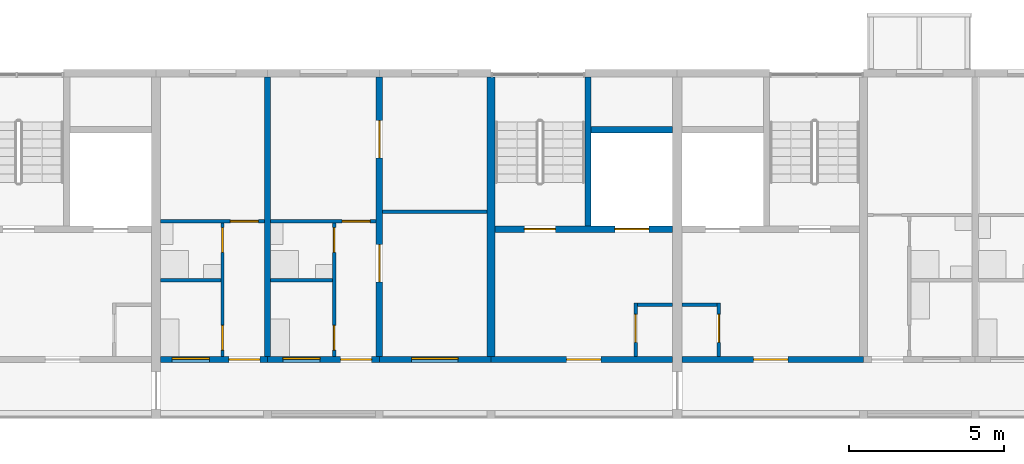
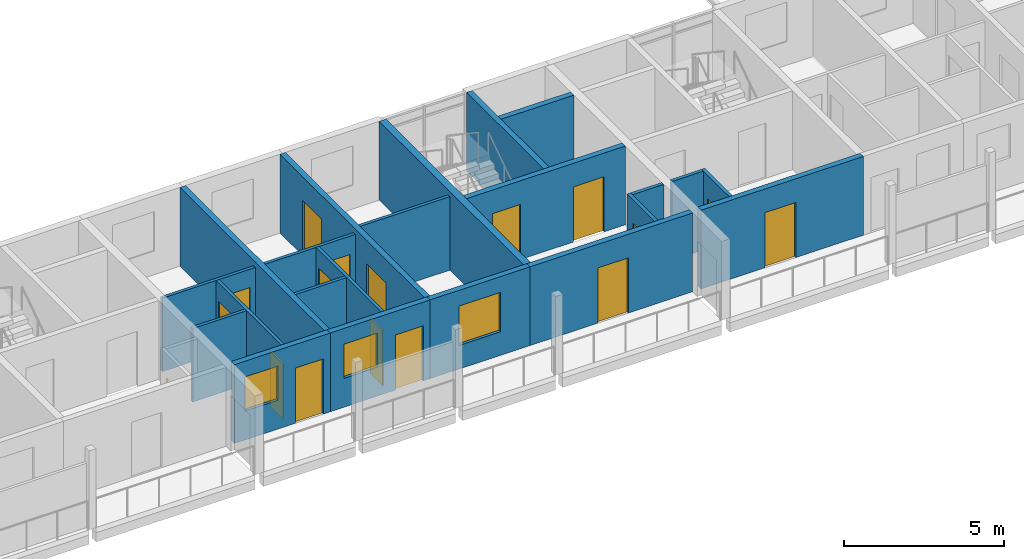
# One storey, part 51 of 98: 22 walls, 16 doors, 3 windows, 19 openings.
"""IFC4 building model written with IfcOpenShell, lengths in metres."""

from ifc_helpers import new_model, si_unit, direction, frame, frame_2d, origin, place, context, subcontext, project, spatial, rectangle, extrude, material, layer, layer_set, type_object, element, fill, save


model = new_model("IFC4")

# Units and contexts
model_context = context("Model", 3, precision=1e-05, world=origin(), true_north=direction((0.0, 1.0)))
body_context = subcontext(model_context, "Body", "Model", "MODEL_VIEW")
ifc_project = project(units=[si_unit("LENGTHUNIT", "METRE"), si_unit("AREAUNIT", "SQUARE_METRE"), si_unit("VOLUMEUNIT", "CUBIC_METRE"), si_unit("PLANEANGLEUNIT", "RADIAN"), si_unit("MASSUNIT", "GRAM", prefix="KILO")], contexts=[model_context])

# Site, building, storey
site_placement = place(None, origin())
site = spatial("IfcSite", under=ifc_project, at=site_placement, CompositionType="ELEMENT")
building_placement = place(site_placement, origin())
building = spatial("IfcBuilding", under=site, at=building_placement, Name="Ridgestep Commons", CompositionType="ELEMENT")
storey_placement = place(building_placement, frame((0.0, 0.0, 12.0)))
storey = spatial("IfcBuildingStorey", under=building, at=storey_placement, Name="L04", CompositionType="ELEMENT", Elevation=12.0)

# Wall
ifc_material_1 = material(Name="Concrete C30/37", Category="concrete")
ifc_layer_1 = layer(ifc_material_1, 0.25)
ifc_layer_set_1 = layer_set([ifc_layer_1], Name="Core cross wall 250")
wall_type_1 = type_object("IfcWallType", Name="Core cross wall 250", PredefinedType="SHEAR", material=ifc_layer_set_1)
wall_1_placement = place(storey_placement, frame((174.39990234375, 68.0, 0.0), z_axis=(0.0, 0.0, 1.0), x_axis=(0.0, 1.0, 0.0)))
element("IfcWall", 1, at=wall_1_placement, inside=storey, type_object=wall_type_1, Name="Cross wall C-04-1744", PredefinedType="SHEAR", context=body_context, shape_type="SweptSolid", body=[
    extrude(rectangle(XDim=9.0, YDim=0.25, at=frame_2d((4.5, 0.0))), origin(), (0.0, 0.0, 1.0), 3.0),
])

# Wall, opening, door
ifc_material_2 = material(Name="Concrete C30/37", Category="concrete")
ifc_layer_2 = layer(ifc_material_2, 0.199951171875)
ifc_layer_set_2 = layer_set([ifc_layer_2], Name="Core south wall 200")
wall_type_2 = type_object("IfcWallType", Name="Core south wall 200", PredefinedType="SHEAR", material=ifc_layer_set_2)
wall_2_placement = place(storey_placement, frame((174.39990234375, 67.89990234375, 0.0), z_axis=(0.0, 0.0, 1.0), x_axis=(1.0, 0.0, 0.0)))
wall_2 = element("IfcWall", 2, at=wall_2_placement, inside=storey, type_object=wall_type_2, Name="Core south wall C2C L04", PredefinedType="SHEAR", context=body_context, shape_type="SweptSolid", body=[
    extrude(rectangle(XDim=5.85009765625, YDim=0.199951171875, at=frame_2d((2.925048828125, 0.0))), origin(), (0.0, 0.0, 1.0), 3.0),
])
opening_1_placement = place(wall_2_placement, frame((2.4375, 0.0, 0.0)))
opening_1 = element("IfcOpeningElement", 3, at=opening_1_placement, cuts=wall_2, Name="Opening C2C/04/1", PredefinedType="OPENING", context=body_context, shape_type="SweptSolid", body=[
    extrude(rectangle(XDim=1.10009765625, YDim=2.10009765625, at=frame_2d((0.550048828125, 1.050048828125))), frame((0.0, 0.10986328125, 0.0), z_axis=(0.0, -1.0, 0.0), x_axis=(1.0, 0.0, 0.0)), (0.0, 0.0, 1.0), 0.219970703125),
])
ifc_material_3 = material(Name="Steel fire door", Category="steel")
door_type_1 = type_object("IfcDoorType", Name="Lobby door 1100 x 2100 FD60", OperationType="NOTDEFINED", PredefinedType="DOOR", material=ifc_material_3)
door_1_placement = place(opening_1_placement, origin())
door_1 = element("IfcDoor", 4, at=door_1_placement, inside=storey, type_object=door_type_1, Name="Lobby door C2C/04/1", OperationType="SINGLE_SWING_LEFT", OverallHeight=2.10009765625, OverallWidth=1.10009765625, PredefinedType="DOOR", context=body_context, shape_type="SweptSolid", body=[
    extrude(rectangle(XDim=1.10009765625, YDim=2.10009765625, at=frame_2d((0.550048828125, 1.050048828125))), frame((0.0, 0.02490234375, 0.0), z_axis=(0.0, -1.0, 0.0), x_axis=(1.0, 0.0, 0.0)), (0.0, 0.0, 1.0), 0.050048828125),
])
fill(opening_1, door_1)

wall_3_placement = place(storey_placement, frame((180.550048828125, 67.89990234375, 0.0), z_axis=(0.0, 0.0, 1.0), x_axis=(1.0, 0.0, 0.0)))
wall_3 = element("IfcWall", 5, at=wall_3_placement, inside=storey, type_object=wall_type_2, Name="Core south wall C3C L04", PredefinedType="SHEAR", context=body_context, shape_type="SweptSolid", body=[
    extrude(rectangle(XDim=5.849853515625, YDim=0.199951171875, at=frame_2d((2.9248046875, 0.0))), origin(), (0.0, 0.0, 1.0), 3.0),
])
opening_2_placement = place(wall_3_placement, frame((2.3125, 0.0, 0.0)))
opening_2 = element("IfcOpeningElement", 6, at=opening_2_placement, cuts=wall_3, Name="Opening C3C/04/1", PredefinedType="OPENING", context=body_context, shape_type="SweptSolid", body=[
    extrude(rectangle(XDim=1.10009765625, YDim=2.10009765625, at=frame_2d((0.550048828125, 1.050048828125))), frame((0.0, 0.10986328125, 0.0), z_axis=(0.0, -1.0, 0.0), x_axis=(1.0, 0.0, 0.0)), (0.0, 0.0, 1.0), 0.219970703125),
])
door_2_placement = place(opening_2_placement, origin())
door_2 = element("IfcDoor", 7, at=door_2_placement, inside=storey, type_object=door_type_1, Name="Lobby door C3C/04/1", OperationType="SINGLE_SWING_LEFT", OverallHeight=2.10009765625, OverallWidth=1.10009765625, PredefinedType="DOOR", context=body_context, shape_type="SweptSolid", body=[
    extrude(rectangle(XDim=1.10009765625, YDim=2.10009765625, at=frame_2d((0.550048828125, 1.050048828125))), frame((0.0, 0.02490234375, 0.0), z_axis=(0.0, -1.0, 0.0), x_axis=(1.0, 0.0, 0.0)), (0.0, 0.0, 1.0), 0.050048828125),
])
fill(opening_2, door_2)

ifc_material_4 = material(Name="Concrete C30/37", Category="concrete")
ifc_layer_3 = layer(ifc_material_4, 0.1201171875)
ifc_layer_set_3 = layer_set([ifc_layer_3], Name="Core wall 120")
wall_type_3 = type_object("IfcWallType", Name="Core wall 120", PredefinedType="SHEAR", material=ifc_layer_set_3)
wall_4_placement = place(storey_placement, frame((179.06005859375, 68.0, 0.0), z_axis=(0.0, 0.0, 1.0), x_axis=(0.0, 1.0, 0.0)))
wall_4 = element("IfcWall", 8, at=wall_4_placement, inside=storey, type_object=wall_type_3, Name="Core riser w wall C2C L04", PredefinedType="SHEAR", context=body_context, shape_type="SweptSolid", body=[
    extrude(rectangle(XDim=1.719970703125, YDim=0.1201171875, at=frame_2d((0.85986328125, 0.0))), origin(), (0.0, 0.0, 1.0), 3.0),
])
opening_3_placement = place(wall_4_placement, frame((0.449951171875, 0.0, 0.0)))
opening_3 = element("IfcOpeningElement", 9, at=opening_3_placement, cuts=wall_4, Name="Opening C2C/04/4", PredefinedType="OPENING", context=body_context, shape_type="SweptSolid", body=[
    extrude(rectangle(XDim=0.89990234375, YDim=2.10009765625, at=frame_2d((0.449951171875, 1.050048828125))), frame((0.0, 0.070068359375, 0.0), z_axis=(0.0, -1.0, 0.0), x_axis=(1.0, 0.0, 0.0)), (0.0, 0.0, 1.0), 0.14013671875),
])
ifc_material_5 = material(Name="Steel fire door", Category="steel")
door_type_2 = type_object("IfcDoorType", Name="Riser door 900 x 2100 FD60", OperationType="NOTDEFINED", PredefinedType="DOOR", material=ifc_material_5)
door_3_placement = place(opening_3_placement, origin())
door_3 = element("IfcDoor", 10, at=door_3_placement, inside=storey, type_object=door_type_2, Name="Riser door C2C/04/4", OperationType="SINGLE_SWING_LEFT", OverallHeight=2.10009765625, OverallWidth=0.89990234375, PredefinedType="DOOR", context=body_context, shape_type="SweptSolid", body=[
    extrude(rectangle(XDim=0.89990234375, YDim=2.10009765625, at=frame_2d((0.449951171875, 1.050048828125))), frame((0.0, 0.02490234375, 0.0), z_axis=(0.0, -1.0, 0.0), x_axis=(1.0, 0.0, 0.0)), (0.0, 0.0, 1.0), 0.050048828125),
])
fill(opening_3, door_3)

# Wall
wall_5_placement = place(storey_placement, frame((179.1201171875, 69.659912109375, 0.0), z_axis=(0.0, 0.0, 1.0), x_axis=(1.0, 0.0, 0.0)))
element("IfcWall", 11, at=wall_5_placement, inside=storey, type_object=wall_type_3, Name="Core riser n wall C2C L04", PredefinedType="SHEAR", context=body_context, shape_type="SweptSolid", body=[
    extrude(rectangle(XDim=1.1298828125, YDim=0.1201171875, at=frame_2d((0.56494140625, 0.0))), origin(), (0.0, 0.0, 1.0), 3.0),
])

# Wall, opening, door
wall_6_placement = place(storey_placement, frame((181.739990234375, 68.0, 0.0), z_axis=(0.0, 0.0, 1.0), x_axis=(0.0, 1.0, 0.0)))
wall_6 = element("IfcWall", 12, at=wall_6_placement, inside=storey, type_object=wall_type_3, Name="Core riser w wall C3C L04", PredefinedType="SHEAR", context=body_context, shape_type="SweptSolid", body=[
    extrude(rectangle(XDim=1.719970703125, YDim=0.1201171875, at=frame_2d((0.85986328125, 0.0))), origin(), (0.0, 0.0, 1.0), 3.0),
])
opening_4_placement = place(wall_6_placement, frame((0.449951171875, 0.0, 0.0)))
opening_4 = element("IfcOpeningElement", 13, at=opening_4_placement, cuts=wall_6, Name="Opening C3C/04/4", PredefinedType="OPENING", context=body_context, shape_type="SweptSolid", body=[
    extrude(rectangle(XDim=0.89990234375, YDim=2.10009765625, at=frame_2d((0.449951171875, 1.050048828125))), frame((0.0, 0.070068359375, 0.0), z_axis=(0.0, -1.0, 0.0), x_axis=(1.0, 0.0, 0.0)), (0.0, 0.0, 1.0), 0.14013671875),
])
door_4_placement = place(opening_4_placement, origin())
door_4 = element("IfcDoor", 14, at=door_4_placement, inside=storey, type_object=door_type_2, Name="Riser door C3C/04/4", OperationType="SINGLE_SWING_RIGHT", OverallHeight=2.10009765625, OverallWidth=0.89990234375, PredefinedType="DOOR", context=body_context, shape_type="SweptSolid", body=[
    extrude(rectangle(XDim=0.89990234375, YDim=2.10009765625, at=frame_2d((0.449951171875, 1.050048828125))), frame((0.0, 0.02490234375, 0.0), z_axis=(0.0, -1.0, 0.0), x_axis=(1.0, 0.0, 0.0)), (0.0, 0.0, 1.0), 0.050048828125),
])
fill(opening_4, door_4)

# Wall
wall_7_placement = place(storey_placement, frame((180.550048828125, 69.659912109375, 0.0), z_axis=(0.0, 0.0, 1.0), x_axis=(1.0, 0.0, 0.0)))
element("IfcWall", 15, at=wall_7_placement, inside=storey, type_object=wall_type_3, Name="Core riser n wall C3C L04", PredefinedType="SHEAR", context=body_context, shape_type="SweptSolid", body=[
    extrude(rectangle(XDim=1.1298828125, YDim=0.1201171875, at=frame_2d((0.56494140625, 0.0))), origin(), (0.0, 0.0, 1.0), 3.0),
])

# Wall, openings, doors
ifc_material_6 = material(Name="Concrete C30/37", Category="concrete")
ifc_layer_4 = layer(ifc_material_6, 0.199951171875)
ifc_layer_set_4 = layer_set([ifc_layer_4], Name="Core wall 200")
wall_type_4 = type_object("IfcWallType", Name="Core wall 200", PredefinedType="SHEAR", material=ifc_layer_set_4)
wall_8_placement = place(storey_placement, frame((174.52490234375, 72.10009765625, 0.0), z_axis=(0.0, 0.0, 1.0), x_axis=(1.0, 0.0, 0.0)))
wall_8 = element("IfcWall", 16, at=wall_8_placement, inside=storey, type_object=wall_type_4, Name="Core lobby wall C2C L04", PredefinedType="SHEAR", context=body_context, shape_type="SweptSolid", body=[
    extrude(rectangle(XDim=5.72509765625, YDim=0.199951171875, at=frame_2d((2.862548828125, 0.0))), origin(), (0.0, 0.0, 1.0), 3.0),
])
opening_5_placement = place(wall_8_placement, frame((0.949951171875, 0.0, 0.0)))
opening_5 = element("IfcOpeningElement", 17, at=opening_5_placement, cuts=wall_8, Name="Opening C2C/04/2", PredefinedType="OPENING", context=body_context, shape_type="SweptSolid", body=[
    extrude(rectangle(XDim=1.0, YDim=2.10009765625, at=frame_2d((0.5, 1.050048828125))), frame((0.0, 0.10986328125, 0.0), z_axis=(0.0, -1.0, 0.0), x_axis=(1.0, 0.0, 0.0)), (0.0, 0.0, 1.0), 0.219970703125),
])
opening_6_placement = place(wall_8_placement, frame((3.862548828125, 0.0, 0.0)))
opening_6 = element("IfcOpeningElement", 18, at=opening_6_placement, cuts=wall_8, Name="Opening C2C/04/3", PredefinedType="OPENING", context=body_context, shape_type="SweptSolid", body=[
    extrude(rectangle(XDim=1.10009765625, YDim=2.10009765625, at=frame_2d((0.550048828125, 1.050048828125))), frame((0.0, 0.10986328125, 0.0), z_axis=(0.0, -1.0, 0.0), x_axis=(1.0, 0.0, 0.0)), (0.0, 0.0, 1.0), 0.219970703125),
])
ifc_material_7 = material(Name="Stainless steel", Category="steel")
door_type_3 = type_object("IfcDoorType", Name="Lift landing door 1100 x 2100 FD60", OperationType="DOUBLE_DOOR_SLIDING", PredefinedType="DOOR", material=ifc_material_7)
door_5_placement = place(opening_6_placement, origin())
door_5 = element("IfcDoor", 19, at=door_5_placement, inside=storey, type_object=door_type_3, Name="Landing door LD C2C L04", OperationType="DOUBLE_DOOR_SLIDING", OverallHeight=2.10009765625, OverallWidth=1.10009765625, PredefinedType="DOOR", context=body_context, shape_type="SweptSolid", body=[
    extrude(rectangle(XDim=1.10009765625, YDim=2.10009765625, at=frame_2d((0.550048828125, 1.050048828125))), frame((0.0, 0.02490234375, 0.0), z_axis=(0.0, -1.0, 0.0), x_axis=(1.0, 0.0, 0.0)), (0.0, 0.0, 1.0), 0.050048828125),
])
fill(opening_6, door_5)
ifc_material_8 = material(Name="Steel fire door", Category="steel")
door_type_4 = type_object("IfcDoorType", Name="Stair door 1000 x 2100 FD60", OperationType="NOTDEFINED", PredefinedType="DOOR", material=ifc_material_8)
door_6_placement = place(opening_5_placement, origin())
door_6 = element("IfcDoor", 20, at=door_6_placement, inside=storey, type_object=door_type_4, Name="Stair door C2C/04/2", OperationType="SINGLE_SWING_RIGHT", OverallHeight=2.10009765625, OverallWidth=1.0, PredefinedType="DOOR", context=body_context, shape_type="SweptSolid", body=[
    extrude(rectangle(XDim=1.0, YDim=2.10009765625, at=frame_2d((0.5, 1.050048828125))), frame((0.0, 0.02490234375, 0.0), z_axis=(0.0, -1.0, 0.0), x_axis=(1.0, 0.0, 0.0)), (0.0, 0.0, 1.0), 0.050048828125),
])
fill(opening_5, door_6)

# Walls
wall_9_placement = place(storey_placement, frame((177.52490234375, 72.199951171875, 0.0), z_axis=(0.0, 0.0, 1.0), x_axis=(0.0, 1.0, 0.0)))
element("IfcWall", 21, at=wall_9_placement, inside=storey, type_object=wall_type_4, Name="Core stair wall C2C L04", PredefinedType="SHEAR", context=body_context, shape_type="SweptSolid", body=[
    extrude(rectangle(XDim=4.800048828125, YDim=0.199951171875, at=frame_2d((2.39990234375, 0.0))), origin(), (0.0, 0.0, 1.0), 3.0),
])
wall_10_placement = place(storey_placement, frame((177.625, 75.300048828125, 0.0), z_axis=(0.0, 0.0, 1.0), x_axis=(1.0, 0.0, 0.0)))
element("IfcWall", 22, at=wall_10_placement, inside=storey, type_object=wall_type_4, Name="Core duct wall C2C L04", PredefinedType="SHEAR", context=body_context, shape_type="SweptSolid", body=[
    extrude(rectangle(XDim=2.625, YDim=0.199951171875, at=frame_2d((1.3125, 0.0))), origin(), (0.0, 0.0, 1.0), 3.0),
])
ifc_material_9 = material(Name="Precast concrete C40/50", Category="concrete")
ifc_layer_5 = layer(ifc_material_9, 0.199951171875)
ifc_layer_set_5 = layer_set([ifc_layer_5], Name="Cross wall 200")
wall_type_5 = type_object("IfcWallType", Name="Cross wall 200", PredefinedType="SHEAR", material=ifc_layer_set_5)
wall_11_placement = place(storey_placement, frame((167.199951171875, 68.0, 0.0), z_axis=(0.0, 0.0, 1.0), x_axis=(0.0, 1.0, 0.0)))
element("IfcWall", 23, at=wall_11_placement, inside=storey, type_object=wall_type_5, Name="Cross wall C-04-1672", PredefinedType="SHEAR", context=body_context, shape_type="SweptSolid", body=[
    extrude(rectangle(XDim=9.0, YDim=0.199951171875, at=frame_2d((4.5, 0.0))), origin(), (0.0, 0.0, 1.0), 3.0),
])

# Wall, openings, doors
wall_12_placement = place(storey_placement, frame((170.800048828125, 68.0, 0.0), z_axis=(0.0, 0.0, 1.0), x_axis=(0.0, 1.0, 0.0)))
wall_12 = element("IfcWall", 24, at=wall_12_placement, inside=storey, type_object=wall_type_5, Name="Cross wall C-04-1708", PredefinedType="SHEAR", context=body_context, shape_type="SweptSolid", body=[
    extrude(rectangle(XDim=9.0, YDim=0.199951171875, at=frame_2d((4.5, 0.0))), origin(), (0.0, 0.0, 1.0), 3.0),
])
opening_7_placement = place(wall_12_placement, frame((2.39990234375, 0.0, 0.0)))
opening_7 = element("IfcOpeningElement", 25, at=opening_7_placement, cuts=wall_12, Name="Opening C2-04b/5", PredefinedType="OPENING", context=body_context, shape_type="SweptSolid", body=[
    extrude(rectangle(XDim=1.199951171875, YDim=2.10009765625, at=frame_2d((0.60009765625, 1.050048828125))), frame((0.0, 0.10986328125, 0.0), z_axis=(0.0, -1.0, 0.0), x_axis=(1.0, 0.0, 0.0)), (0.0, 0.0, 1.0), 0.219970703125),
])
opening_8_placement = place(wall_12_placement, frame((6.39990234375, 0.0, 0.0)))
opening_8 = element("IfcOpeningElement", 26, at=opening_8_placement, cuts=wall_12, Name="Opening C2-04b/6", PredefinedType="OPENING", context=body_context, shape_type="SweptSolid", body=[
    extrude(rectangle(XDim=1.199951171875, YDim=2.10009765625, at=frame_2d((0.60009765625, 1.050048828125))), frame((0.0, 0.10986328125, 0.0), z_axis=(0.0, -1.0, 0.0), x_axis=(1.0, 0.0, 0.0)), (0.0, 0.0, 1.0), 0.219970703125),
])
ifc_material_10 = material(Name="Timber door leaf", Category="wood")
door_type_5 = type_object("IfcDoorType", Name="Double door 1200 x 2100", OperationType="DOUBLE_DOOR_SINGLE_SWING", PredefinedType="DOOR", material=ifc_material_10)
door_7_placement = place(opening_7_placement, origin())
door_7 = element("IfcDoor", 27, at=door_7_placement, inside=storey, type_object=door_type_5, Name="Double door C2-04b/5", OperationType="DOUBLE_DOOR_SINGLE_SWING", OverallHeight=2.10009765625, OverallWidth=1.199951171875, PredefinedType="DOOR", context=body_context, shape_type="SweptSolid", body=[
    extrude(rectangle(XDim=1.199951171875, YDim=2.10009765625, at=frame_2d((0.60009765625, 1.050048828125))), frame((0.0, 0.02490234375, 0.0), z_axis=(0.0, -1.0, 0.0), x_axis=(1.0, 0.0, 0.0)), (0.0, 0.0, 1.0), 0.050048828125),
])
fill(opening_7, door_7)
door_8_placement = place(opening_8_placement, origin())
door_8 = element("IfcDoor", 28, at=door_8_placement, inside=storey, type_object=door_type_5, Name="Double door C2-04b/6", OperationType="DOUBLE_DOOR_SINGLE_SWING", OverallHeight=2.10009765625, OverallWidth=1.199951171875, PredefinedType="DOOR", context=body_context, shape_type="SweptSolid", body=[
    extrude(rectangle(XDim=1.199951171875, YDim=2.10009765625, at=frame_2d((0.60009765625, 1.050048828125))), frame((0.0, 0.02490234375, 0.0), z_axis=(0.0, -1.0, 0.0), x_axis=(1.0, 0.0, 0.0)), (0.0, 0.0, 1.0), 0.050048828125),
])
fill(opening_8, door_8)

# Wall
ifc_material_11 = material(Name="Common brick 110 mm", Category="masonry")
ifc_layer_6 = layer(ifc_material_11, 0.110107421875)
ifc_layer_set_6 = layer_set([ifc_layer_6], Name="Partition 110")
wall_type_6 = type_object("IfcWallType", Name="Partition 110", PredefinedType="PARTITIONING", material=ifc_layer_set_6)
wall_13_placement = place(storey_placement, frame((163.75, 70.455078125, 0.0), z_axis=(0.0, 0.0, 1.0), x_axis=(1.0, 0.0, 0.0)))
element("IfcWall", 29, at=wall_13_placement, inside=storey, type_object=wall_type_6, Name="Partition C2-04a", PredefinedType="PARTITIONING", context=body_context, shape_type="SweptSolid", body=[
    extrude(rectangle(XDim=1.93994140625, YDim=0.110107421875, at=frame_2d((0.969970703125, 0.0))), origin(), (0.0, 0.0, 1.0), 2.800048828125),
])

# Wall, openings, doors
wall_14_placement = place(storey_placement, frame((165.7451171875, 68.0, 0.0), z_axis=(0.0, 0.0, 1.0), x_axis=(0.0, 1.0, 0.0)))
wall_14 = element("IfcWall", 30, at=wall_14_placement, inside=storey, type_object=wall_type_6, Name="Partition C2-04a", PredefinedType="PARTITIONING", context=body_context, shape_type="SweptSolid", body=[
    extrude(rectangle(XDim=4.300048828125, YDim=0.110107421875, at=frame_2d((2.14990234375, 0.0))), origin(), (0.0, 0.0, 1.0), 2.800048828125),
])
opening_9_placement = place(wall_14_placement, frame((0.199951171875, 0.0, 0.0)))
opening_9 = element("IfcOpeningElement", 31, at=opening_9_placement, cuts=wall_14, Name="Opening C2-04a/2", PredefinedType="OPENING", context=body_context, shape_type="SweptSolid", body=[
    extrude(rectangle(XDim=0.800048828125, YDim=2.10009765625, at=frame_2d((0.39990234375, 1.050048828125))), frame((0.0, 0.06494140625, 0.0), z_axis=(0.0, -1.0, 0.0), x_axis=(1.0, 0.0, 0.0)), (0.0, 0.0, 1.0), 0.130126953125),
])
opening_10_placement = place(wall_14_placement, frame((3.35009765625, 0.0, 0.0)))
opening_10 = element("IfcOpeningElement", 32, at=opening_10_placement, cuts=wall_14, Name="Opening C2-04a/3", PredefinedType="OPENING", context=body_context, shape_type="SweptSolid", body=[
    extrude(rectangle(XDim=0.800048828125, YDim=2.10009765625, at=frame_2d((0.39990234375, 1.050048828125))), frame((0.0, 0.06494140625, 0.0), z_axis=(0.0, -1.0, 0.0), x_axis=(1.0, 0.0, 0.0)), (0.0, 0.0, 1.0), 0.130126953125),
])
ifc_material_12 = material(Name="Timber door leaf", Category="wood")
door_type_6 = type_object("IfcDoorType", Name="Internal door 800 x 2100", OperationType="NOTDEFINED", PredefinedType="DOOR", material=ifc_material_12)
door_9_placement = place(opening_9_placement, origin())
door_9 = element("IfcDoor", 33, at=door_9_placement, inside=storey, type_object=door_type_6, Name="Internal door C2-04a/2", OperationType="SINGLE_SWING_LEFT", OverallHeight=2.10009765625, OverallWidth=0.800048828125, PredefinedType="DOOR", context=body_context, shape_type="SweptSolid", body=[
    extrude(rectangle(XDim=0.800048828125, YDim=2.10009765625, at=frame_2d((0.39990234375, 1.050048828125))), frame((0.0, 0.02490234375, 0.0), z_axis=(0.0, -1.0, 0.0), x_axis=(1.0, 0.0, 0.0)), (0.0, 0.0, 1.0), 0.050048828125),
])
fill(opening_9, door_9)
door_10_placement = place(opening_10_placement, origin())
door_10 = element("IfcDoor", 34, at=door_10_placement, inside=storey, type_object=door_type_6, Name="Internal door C2-04a/3", OperationType="SINGLE_SWING_RIGHT", OverallHeight=2.10009765625, OverallWidth=0.800048828125, PredefinedType="DOOR", context=body_context, shape_type="SweptSolid", body=[
    extrude(rectangle(XDim=0.800048828125, YDim=2.10009765625, at=frame_2d((0.39990234375, 1.050048828125))), frame((0.0, 0.02490234375, 0.0), z_axis=(0.0, -1.0, 0.0), x_axis=(1.0, 0.0, 0.0)), (0.0, 0.0, 1.0), 0.050048828125),
])
fill(opening_10, door_10)

# Wall, opening, door
wall_15_placement = place(storey_placement, frame((163.75, 72.35498046875, 0.0), z_axis=(0.0, 0.0, 1.0), x_axis=(1.0, 0.0, 0.0)))
wall_15 = element("IfcWall", 35, at=wall_15_placement, inside=storey, type_object=wall_type_6, Name="Partition C2-04a", PredefinedType="PARTITIONING", context=body_context, shape_type="SweptSolid", body=[
    extrude(rectangle(XDim=3.35009765625, YDim=0.110107421875, at=frame_2d((1.675048828125, 0.0))), origin(), (0.0, 0.0, 1.0), 2.800048828125),
])
opening_11_placement = place(wall_15_placement, frame((2.25, 0.0, 0.0)))
opening_11 = element("IfcOpeningElement", 36, at=opening_11_placement, cuts=wall_15, Name="Opening C2-04a/4", PredefinedType="OPENING", context=body_context, shape_type="SweptSolid", body=[
    extrude(rectangle(XDim=0.89990234375, YDim=2.10009765625, at=frame_2d((0.449951171875, 1.050048828125))), frame((0.0, 0.06494140625, 0.0), z_axis=(0.0, -1.0, 0.0), x_axis=(1.0, 0.0, 0.0)), (0.0, 0.0, 1.0), 0.130126953125),
])
ifc_material_13 = material(Name="Timber door leaf", Category="wood")
door_type_7 = type_object("IfcDoorType", Name="Internal door 900 x 2100", OperationType="NOTDEFINED", PredefinedType="DOOR", material=ifc_material_13)
door_11_placement = place(opening_11_placement, origin())
door_11 = element("IfcDoor", 37, at=door_11_placement, inside=storey, type_object=door_type_7, Name="Internal door C2-04a/4", OperationType="SINGLE_SWING_LEFT", OverallHeight=2.10009765625, OverallWidth=0.89990234375, PredefinedType="DOOR", context=body_context, shape_type="SweptSolid", body=[
    extrude(rectangle(XDim=0.89990234375, YDim=2.10009765625, at=frame_2d((0.449951171875, 1.050048828125))), frame((0.0, 0.02490234375, 0.0), z_axis=(0.0, -1.0, 0.0), x_axis=(1.0, 0.0, 0.0)), (0.0, 0.0, 1.0), 0.050048828125),
])
fill(opening_11, door_11)

# Wall
wall_16_placement = place(storey_placement, frame((167.300048828125, 70.455078125, 0.0), z_axis=(0.0, 0.0, 1.0), x_axis=(1.0, 0.0, 0.0)))
element("IfcWall", 38, at=wall_16_placement, inside=storey, type_object=wall_type_6, Name="Partition C2-04b", PredefinedType="PARTITIONING", context=body_context, shape_type="SweptSolid", body=[
    extrude(rectangle(XDim=1.989990234375, YDim=0.110107421875, at=frame_2d((0.9951171875, 0.0))), origin(), (0.0, 0.0, 1.0), 2.800048828125),
])

# Wall, openings, doors
wall_17_placement = place(storey_placement, frame((169.344970703125, 68.0, 0.0), z_axis=(0.0, 0.0, 1.0), x_axis=(0.0, 1.0, 0.0)))
wall_17 = element("IfcWall", 39, at=wall_17_placement, inside=storey, type_object=wall_type_6, Name="Partition C2-04b", PredefinedType="PARTITIONING", context=body_context, shape_type="SweptSolid", body=[
    extrude(rectangle(XDim=4.300048828125, YDim=0.110107421875, at=frame_2d((2.14990234375, 0.0))), origin(), (0.0, 0.0, 1.0), 2.800048828125),
])
opening_12_placement = place(wall_17_placement, frame((0.199951171875, 0.0, 0.0)))
opening_12 = element("IfcOpeningElement", 40, at=opening_12_placement, cuts=wall_17, Name="Opening C2-04b/2", PredefinedType="OPENING", context=body_context, shape_type="SweptSolid", body=[
    extrude(rectangle(XDim=0.800048828125, YDim=2.10009765625, at=frame_2d((0.39990234375, 1.050048828125))), frame((0.0, 0.06494140625, 0.0), z_axis=(0.0, -1.0, 0.0), x_axis=(1.0, 0.0, 0.0)), (0.0, 0.0, 1.0), 0.130126953125),
])
opening_13_placement = place(wall_17_placement, frame((3.35009765625, 0.0, 0.0)))
opening_13 = element("IfcOpeningElement", 41, at=opening_13_placement, cuts=wall_17, Name="Opening C2-04b/3", PredefinedType="OPENING", context=body_context, shape_type="SweptSolid", body=[
    extrude(rectangle(XDim=0.800048828125, YDim=2.10009765625, at=frame_2d((0.39990234375, 1.050048828125))), frame((0.0, 0.06494140625, 0.0), z_axis=(0.0, -1.0, 0.0), x_axis=(1.0, 0.0, 0.0)), (0.0, 0.0, 1.0), 0.130126953125),
])
door_12_placement = place(opening_12_placement, origin())
door_12 = element("IfcDoor", 42, at=door_12_placement, inside=storey, type_object=door_type_6, Name="Internal door C2-04b/2", OperationType="SINGLE_SWING_LEFT", OverallHeight=2.10009765625, OverallWidth=0.800048828125, PredefinedType="DOOR", context=body_context, shape_type="SweptSolid", body=[
    extrude(rectangle(XDim=0.800048828125, YDim=2.10009765625, at=frame_2d((0.39990234375, 1.050048828125))), frame((0.0, 0.02490234375, 0.0), z_axis=(0.0, -1.0, 0.0), x_axis=(1.0, 0.0, 0.0)), (0.0, 0.0, 1.0), 0.050048828125),
])
fill(opening_12, door_12)
door_13_placement = place(opening_13_placement, origin())
door_13 = element("IfcDoor", 43, at=door_13_placement, inside=storey, type_object=door_type_6, Name="Internal door C2-04b/3", OperationType="SINGLE_SWING_RIGHT", OverallHeight=2.10009765625, OverallWidth=0.800048828125, PredefinedType="DOOR", context=body_context, shape_type="SweptSolid", body=[
    extrude(rectangle(XDim=0.800048828125, YDim=2.10009765625, at=frame_2d((0.39990234375, 1.050048828125))), frame((0.0, 0.02490234375, 0.0), z_axis=(0.0, -1.0, 0.0), x_axis=(1.0, 0.0, 0.0)), (0.0, 0.0, 1.0), 0.050048828125),
])
fill(opening_13, door_13)

# Wall, opening, door
wall_18_placement = place(storey_placement, frame((167.300048828125, 72.35498046875, 0.0), z_axis=(0.0, 0.0, 1.0), x_axis=(1.0, 0.0, 0.0)))
wall_18 = element("IfcWall", 44, at=wall_18_placement, inside=storey, type_object=wall_type_6, Name="Partition C2-04b", PredefinedType="PARTITIONING", context=body_context, shape_type="SweptSolid", body=[
    extrude(rectangle(XDim=3.39990234375, YDim=0.110107421875, at=frame_2d((1.699951171875, 0.0))), origin(), (0.0, 0.0, 1.0), 2.800048828125),
])
opening_14_placement = place(wall_18_placement, frame((2.300048828125, 0.0, 0.0)))
opening_14 = element("IfcOpeningElement", 45, at=opening_14_placement, cuts=wall_18, Name="Opening C2-04b/4", PredefinedType="OPENING", context=body_context, shape_type="SweptSolid", body=[
    extrude(rectangle(XDim=0.89990234375, YDim=2.10009765625, at=frame_2d((0.449951171875, 1.050048828125))), frame((0.0, 0.06494140625, 0.0), z_axis=(0.0, -1.0, 0.0), x_axis=(1.0, 0.0, 0.0)), (0.0, 0.0, 1.0), 0.130126953125),
])
door_14_placement = place(opening_14_placement, origin())
door_14 = element("IfcDoor", 46, at=door_14_placement, inside=storey, type_object=door_type_7, Name="Internal door C2-04b/4", OperationType="SINGLE_SWING_LEFT", OverallHeight=2.10009765625, OverallWidth=0.89990234375, PredefinedType="DOOR", context=body_context, shape_type="SweptSolid", body=[
    extrude(rectangle(XDim=0.89990234375, YDim=2.10009765625, at=frame_2d((0.449951171875, 1.050048828125))), frame((0.0, 0.02490234375, 0.0), z_axis=(0.0, -1.0, 0.0), x_axis=(1.0, 0.0, 0.0)), (0.0, 0.0, 1.0), 0.050048828125),
])
fill(opening_14, door_14)

# Wall
wall_19_placement = place(storey_placement, frame((170.89990234375, 72.655029296875, 0.0), z_axis=(0.0, 0.0, 1.0), x_axis=(1.0, 0.0, 0.0)))
element("IfcWall", 47, at=wall_19_placement, inside=storey, type_object=wall_type_6, Name="Partition C2-04b", PredefinedType="PARTITIONING", context=body_context, shape_type="SweptSolid", body=[
    extrude(rectangle(XDim=3.375, YDim=0.110107421875, at=frame_2d((1.6875, 0.0))), origin(), (0.0, 0.0, 1.0), 2.800048828125),
])

# Wall, openings, door, window
ifc_material_14 = material(Name="Precast concrete C40/50", Category="concrete")
ifc_layer_7 = layer(ifc_material_14, 0.199951171875)
ifc_layer_set_7 = layer_set([ifc_layer_7], Name="South facade panel 200")
wall_type_7 = type_object("IfcWallType", Name="South facade panel 200", PredefinedType="SOLIDWALL", material=ifc_layer_set_7)
wall_20_placement = place(storey_placement, frame((163.75, 67.89990234375, 0.0), z_axis=(0.0, 0.0, 1.0), x_axis=(1.0, 0.0, 0.0)))
wall_20 = element("IfcWall", 48, at=wall_20_placement, inside=storey, type_object=wall_type_7, Name="South panel C2T1 L04", PredefinedType="SOLIDWALL", context=body_context, shape_type="SweptSolid", body=[
    extrude(rectangle(XDim=3.449951171875, YDim=0.199951171875, at=frame_2d((1.72509765625, 0.0))), origin(), (0.0, 0.0, 1.0), 3.0),
])
opening_15_placement = place(wall_20_placement, frame((0.3701171875, 0.0, 1.10009765625)))
opening_15 = element("IfcOpeningElement", 49, at=opening_15_placement, cuts=wall_20, Name="Opening W08", PredefinedType="OPENING", context=body_context, shape_type="SweptSolid", body=[
    extrude(rectangle(XDim=1.199951171875, YDim=1.300048828125, at=frame_2d((0.60009765625, 0.64990234375))), frame((0.0, 0.10986328125, 0.0), z_axis=(0.0, -1.0, 0.0), x_axis=(1.0, 0.0, 0.0)), (0.0, 0.0, 1.0), 0.219970703125),
])
opening_16_placement = place(wall_20_placement, frame((2.199951171875, 0.0, 0.0)))
opening_16 = element("IfcOpeningElement", 50, at=opening_16_placement, cuts=wall_20, Name="Opening C2-04a/1", PredefinedType="OPENING", context=body_context, shape_type="SweptSolid", body=[
    extrude(rectangle(XDim=1.0, YDim=2.10009765625, at=frame_2d((0.5, 1.050048828125))), frame((0.0, 0.10986328125, 0.0), z_axis=(0.0, -1.0, 0.0), x_axis=(1.0, 0.0, 0.0)), (0.0, 0.0, 1.0), 0.219970703125),
])
ifc_material_15 = material(Name="Timber door leaf", Category="wood")
door_type_8 = type_object("IfcDoorType", Name="Flat entrance door 1000 x 2100 FD30S", OperationType="NOTDEFINED", PredefinedType="DOOR", material=ifc_material_15)
door_15_placement = place(opening_16_placement, origin())
door_15 = element("IfcDoor", 51, at=door_15_placement, inside=storey, type_object=door_type_8, Name="Flat entrance door C2-04a/1", OperationType="SINGLE_SWING_RIGHT", OverallHeight=2.10009765625, OverallWidth=1.0, PredefinedType="DOOR", context=body_context, shape_type="SweptSolid", body=[
    extrude(rectangle(XDim=1.0, YDim=2.10009765625, at=frame_2d((0.5, 1.050048828125))), frame((0.0, 0.02490234375, 0.0), z_axis=(0.0, -1.0, 0.0), x_axis=(1.0, 0.0, 0.0)), (0.0, 0.0, 1.0), 0.050048828125),
])
fill(opening_16, door_15)
ifc_material_16 = material(Name="Aluminium 6063-T6 and glass", Category="aluminium")
window_type_1 = type_object("IfcWindowType", Name="Flat window 1200 x 1300", PartitioningType="SINGLE_PANEL", PredefinedType="WINDOW", material=ifc_material_16)
window_1_placement = place(opening_15_placement, origin())
window_1 = element("IfcWindow", 52, at=window_1_placement, inside=storey, type_object=window_type_1, Name="Window C2-04a 1", OverallHeight=1.300048828125, OverallWidth=1.199951171875, PartitioningType="SINGLE_PANEL", PredefinedType="WINDOW", context=body_context, shape_type="SweptSolid", body=[
    extrude(rectangle(XDim=1.199951171875, YDim=1.300048828125, at=frame_2d((0.60009765625, 0.64990234375))), frame((0.0, 0.06005859375, 0.0), z_axis=(0.0, -1.0, 0.0), x_axis=(1.0, 0.0, 0.0)), (0.0, 0.0, 1.0), 0.06005859375),
])
fill(opening_15, window_1)

wall_21_placement = place(storey_placement, frame((167.199951171875, 67.89990234375, 0.0), z_axis=(0.0, 0.0, 1.0), x_axis=(1.0, 0.0, 0.0)))
wall_21 = element("IfcWall", 53, at=wall_21_placement, inside=storey, type_object=wall_type_7, Name="South panel C2T2 L04", PredefinedType="SOLIDWALL", context=body_context, shape_type="SweptSolid", body=[
    extrude(rectangle(XDim=3.60009765625, YDim=0.199951171875, at=frame_2d((1.800048828125, 0.0))), origin(), (0.0, 0.0, 1.0), 3.0),
])
opening_17_placement = place(wall_21_placement, frame((0.4951171875, 0.0, 1.10009765625)))
opening_17 = element("IfcOpeningElement", 54, at=opening_17_placement, cuts=wall_21, Name="Opening W08", PredefinedType="OPENING", context=body_context, shape_type="SweptSolid", body=[
    extrude(rectangle(XDim=1.199951171875, YDim=1.300048828125, at=frame_2d((0.60009765625, 0.64990234375))), frame((0.0, 0.10986328125, 0.0), z_axis=(0.0, -1.0, 0.0), x_axis=(1.0, 0.0, 0.0)), (0.0, 0.0, 1.0), 0.219970703125),
])
opening_18_placement = place(wall_21_placement, frame((2.35009765625, 0.0, 0.0)))
opening_18 = element("IfcOpeningElement", 55, at=opening_18_placement, cuts=wall_21, Name="Opening C2-04b/1", PredefinedType="OPENING", context=body_context, shape_type="SweptSolid", body=[
    extrude(rectangle(XDim=1.0, YDim=2.10009765625, at=frame_2d((0.5, 1.050048828125))), frame((0.0, 0.10986328125, 0.0), z_axis=(0.0, -1.0, 0.0), x_axis=(1.0, 0.0, 0.0)), (0.0, 0.0, 1.0), 0.219970703125),
])
door_16_placement = place(opening_18_placement, origin())
door_16 = element("IfcDoor", 56, at=door_16_placement, inside=storey, type_object=door_type_8, Name="Flat entrance door C2-04b/1", OperationType="SINGLE_SWING_RIGHT", OverallHeight=2.10009765625, OverallWidth=1.0, PredefinedType="DOOR", context=body_context, shape_type="SweptSolid", body=[
    extrude(rectangle(XDim=1.0, YDim=2.10009765625, at=frame_2d((0.5, 1.050048828125))), frame((0.0, 0.02490234375, 0.0), z_axis=(0.0, -1.0, 0.0), x_axis=(1.0, 0.0, 0.0)), (0.0, 0.0, 1.0), 0.050048828125),
])
fill(opening_18, door_16)
window_2_placement = place(opening_17_placement, origin())
window_2 = element("IfcWindow", 57, at=window_2_placement, inside=storey, type_object=window_type_1, Name="Window C2-04b 3", OverallHeight=1.300048828125, OverallWidth=1.199951171875, PartitioningType="SINGLE_PANEL", PredefinedType="WINDOW", context=body_context, shape_type="SweptSolid", body=[
    extrude(rectangle(XDim=1.199951171875, YDim=1.300048828125, at=frame_2d((0.60009765625, 0.64990234375))), frame((0.0, 0.06005859375, 0.0), z_axis=(0.0, -1.0, 0.0), x_axis=(1.0, 0.0, 0.0)), (0.0, 0.0, 1.0), 0.06005859375),
])
fill(opening_17, window_2)

# Wall, opening, window
wall_22_placement = place(storey_placement, frame((170.800048828125, 67.89990234375, 0.0), z_axis=(0.0, 0.0, 1.0), x_axis=(1.0, 0.0, 0.0)))
wall_22 = element("IfcWall", 58, at=wall_22_placement, inside=storey, type_object=wall_type_7, Name="South panel C2T3 L04", PredefinedType="SOLIDWALL", context=body_context, shape_type="SweptSolid", body=[
    extrude(rectangle(XDim=3.599853515625, YDim=0.199951171875, at=frame_2d((1.7998046875, 0.0))), origin(), (0.0, 0.0, 1.0), 3.0),
])
opening_19_placement = place(wall_22_placement, frame((1.03759765625, 0.0, 0.89990234375)))
opening_19 = element("IfcOpeningElement", 59, at=opening_19_placement, cuts=wall_22, Name="Opening W16", PredefinedType="OPENING", context=body_context, shape_type="SweptSolid", body=[
    extrude(rectangle(XDim=1.5, YDim=1.5, at=frame_2d((0.75, 0.75))), frame((0.0, 0.10986328125, 0.0), z_axis=(0.0, -1.0, 0.0), x_axis=(1.0, 0.0, 0.0)), (0.0, 0.0, 1.0), 0.219970703125),
])
ifc_material_17 = material(Name="Aluminium 6063-T6 and glass", Category="aluminium")
window_type_2 = type_object("IfcWindowType", Name="Flat window 1500 x 1500", PartitioningType="DOUBLE_PANEL_VERTICAL", PredefinedType="WINDOW", material=ifc_material_17)
window_3_placement = place(opening_19_placement, origin())
window_3 = element("IfcWindow", 60, at=window_3_placement, inside=storey, type_object=window_type_2, Name="Window C2-04b 1", OverallHeight=1.5, OverallWidth=1.5, PartitioningType="SINGLE_PANEL", PredefinedType="WINDOW", context=body_context, shape_type="SweptSolid", body=[
    extrude(rectangle(XDim=1.5, YDim=1.5, at=frame_2d((0.75, 0.75))), frame((0.0, 0.06005859375, 0.0), z_axis=(0.0, -1.0, 0.0), x_axis=(1.0, 0.0, 0.0)), (0.0, 0.0, 1.0), 0.06005859375),
])
fill(opening_19, window_3)

save(model, "model.ifc")
